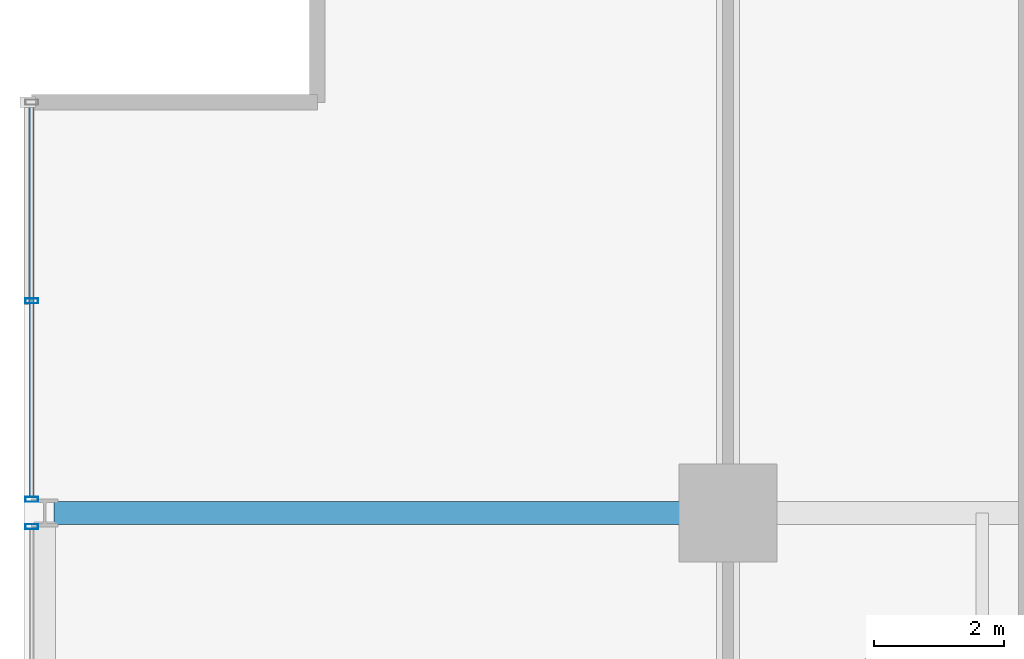
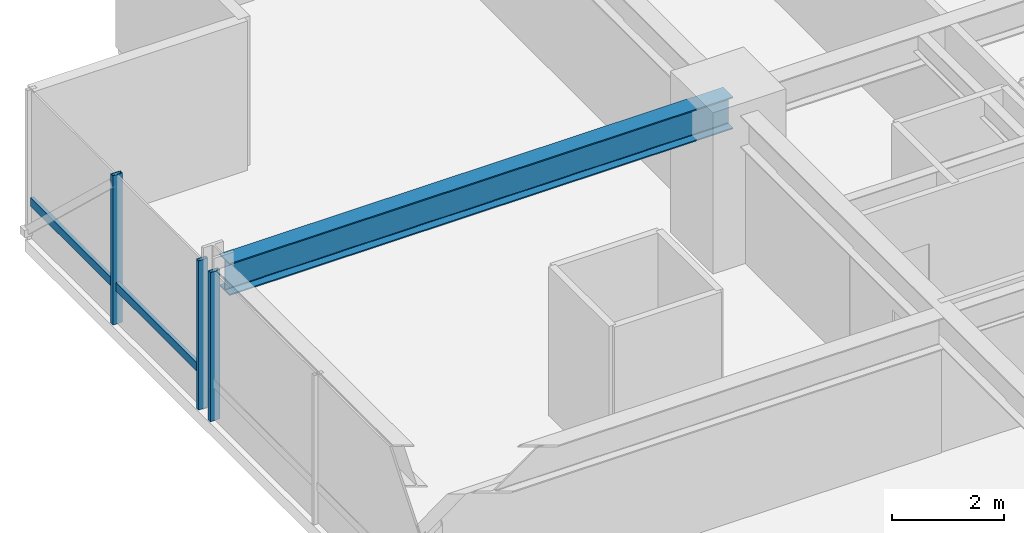
# One storey, part 18 of 34: 4 members, 1 beam, 2 elements without a shape of their own.
"""IFC4 building model written with IfcOpenShell, lengths in metres."""

from ifc_helpers import new_model, si_unit, direction, frame, origin, origin_2d, place, context, subcontext, project, spatial, hollow_rectangle, i_section, extrude, material, layer, layer_set, material_profile, profile_set, type_object, element, aggregate, save


model = new_model("IFC4")

# Units and contexts
model_context = context("Model", 3, precision=1e-05, world=origin(), true_north=direction((0.0, 1.0)))
body_context = subcontext(model_context, "Body", "Model", "MODEL_VIEW")
ifc_project = project(units=[si_unit("LENGTHUNIT", "METRE"), si_unit("AREAUNIT", "SQUARE_METRE"), si_unit("VOLUMEUNIT", "CUBIC_METRE"), si_unit("PLANEANGLEUNIT", "RADIAN"), si_unit("MASSUNIT", "GRAM", prefix="KILO")], contexts=[model_context])

# Site, building, storey
site_placement = place(None, origin())
site = spatial("IfcSite", under=ifc_project, at=site_placement, CompositionType="ELEMENT")
building_placement = place(site_placement, origin())
building = spatial("IfcBuilding", under=site, at=building_placement, Name="Drelvath Grand Hotel", CompositionType="ELEMENT")
storey_placement = place(building_placement, frame((0.0, 0.0, 133.800048828125)))
storey = spatial("IfcBuildingStorey", under=building, at=storey_placement, Name="L34", CompositionType="ELEMENT", Elevation=133.800048828125)

# Curtain wall, member
ifc_material_1 = material(Name="Champagne Bronze Anodised Aluminium Frame", Category="aluminium")
ifc_layer = layer(ifc_material_1, 0.199951171875)
ifc_layer_set = layer_set([ifc_layer], Name="Champagne Bronze Anodised Aluminium Frame")
curtain_wall_type = type_object("IfcCurtainWallType", Name="Stick Curtain Wall CW-03 Champagne Bronze Mid-Rise", PredefinedType="NOTDEFINED", material=ifc_layer_set)
curtain_wall_1_placement = place(storey_placement, origin())
curtain_wall_1 = element("IfcCurtainWall", 1, at=curtain_wall_1_placement, inside=storey, type_object=curtain_wall_type, Name="L34 CW-03 Curtain Wall CW03-L34-WN3", PredefinedType="NOTDEFINED")
ifc_material_profile_1 = material_profile(ifc_material_1, hollow_rectangle(XDim=0.074951171875, YDim=0.179931640625, WallThickness=0.0048828125, at=origin_2d()), Name="HSS180X75X5")
ifc_profile_set_1 = profile_set([ifc_material_profile_1], Name="Champagne Bronze Anodised Aluminium Frame")
member_type_1 = type_object("IfcMemberType", Name="Curtain Wall Horizontal Transom CW-03 HSS180X75X5", PredefinedType="USERDEFINED", material=ifc_profile_set_1)
member_1_placement = place(storey_placement, frame((-26.8798828125, 43.449462890625, 0.81005859375), z_axis=(0.0, 1.0, 0.0), x_axis=(-1.0, 0.0, 0.0)))
member_1 = element("IfcMember", 2, at=member_1_placement, type_object=member_type_1, Name="CW03-L34-WN3 Sill Transom", ObjectType="TRANSOM", PredefinedType="USERDEFINED", context=body_context, shape_type="SweptSolid", body=[
    extrude(hollow_rectangle(XDim=0.074951171875, YDim=0.179931640625, WallThickness=0.0048828125, at=origin_2d()), origin(), (0.0, 0.0, 1.0), 6.010498046875),
])

curtain_wall_2_placement = place(storey_placement, origin())
curtain_wall_2 = element("IfcCurtainWall", 3, at=curtain_wall_2_placement, inside=storey, type_object=curtain_wall_type, Name="L34 CW-03 Curtain Wall CW03-L34-WN2", PredefinedType="NOTDEFINED")
ifc_material_profile_2 = material_profile(ifc_material_1, hollow_rectangle(XDim=0.080078125, YDim=0.199951171875, WallThickness=0.0048828125, at=origin_2d()), Name="HSS200X80X5")
ifc_profile_set_2 = profile_set([ifc_material_profile_2], Name="Champagne Bronze Anodised Aluminium Frame")
member_type_2 = type_object("IfcMemberType", Name="Curtain Wall Vertical Mullion CW-03 HSS200X80X5", PredefinedType="MULLION", material=ifc_profile_set_2)
member_2_placement = place(storey_placement, frame((-26.8798828125, 42.990478515625, 0.0), z_axis=(0.0, 0.0, 1.0), x_axis=(0.0, 1.0, 0.0)))
member_2 = element("IfcMember", 4, at=member_2_placement, type_object=member_type_2, Name="CW03-L34-WN2 Mullion 3", PredefinedType="MULLION", context=body_context, shape_type="SweptSolid", body=[
    extrude(hollow_rectangle(XDim=0.080078125, YDim=0.199951171875, WallThickness=0.0048828125, at=origin_2d()), origin(), (0.0, 0.0, 1.0), 3.239990234375),
])
aggregate(curtain_wall_2, [member_2])

# Member
member_3_placement = place(storey_placement, frame((-26.8798828125, 43.409423828125, 0.0), z_axis=(0.0, 0.0, 1.0), x_axis=(0.0, 1.0, 0.0)))
member_3 = element("IfcMember", 5, at=member_3_placement, type_object=member_type_2, Name="CW03-L34-WN3 Mullion 1", PredefinedType="MULLION", context=body_context, shape_type="SweptSolid", body=[
    extrude(hollow_rectangle(XDim=0.080078125, YDim=0.199951171875, WallThickness=0.0048828125, at=origin_2d()), origin(), (0.0, 0.0, 1.0), 3.239990234375),
])

member_4_placement = place(storey_placement, frame((-26.8798828125, 46.45458984375, 0.0), z_axis=(0.0, 0.0, 1.0), x_axis=(0.0, 1.0, 0.0)))
member_4 = element("IfcMember", 6, at=member_4_placement, type_object=member_type_2, Name="CW03-L34-WN3 Mullion 2", PredefinedType="MULLION", context=body_context, shape_type="SweptSolid", body=[
    extrude(hollow_rectangle(XDim=0.080078125, YDim=0.199951171875, WallThickness=0.0048828125, at=origin_2d()), origin(), (0.0, 0.0, 1.0), 3.239990234375),
])

aggregate(curtain_wall_1, [member_3, member_4, member_1])

# Beam
ifc_material_2 = material(Name="Steel ASTM A992 Gr 50", Category="steel")
ifc_material_profile_3 = material_profile(ifc_material_2, i_section(OverallWidth=0.354736328125, OverallDepth=0.695556640625, WebThickness=0.015380859375, FlangeThickness=0.025146484375, FilletRadius=0.02392578125, at=origin_2d()), Name="W27X146")
ifc_profile_set_3 = profile_set([ifc_material_profile_3], Name="Steel ASTM A992 Gr 50")
beam_type = type_object("IfcBeamType", Name="Primary Floor Girder W27X146", PredefinedType="BEAM", material=ifc_profile_set_3)
beam_placement = place(storey_placement, frame((-26.5400390625, 43.199951171875, 2.892333984375), z_axis=(1.0, 0.0, 0.0), x_axis=(0.0, 1.0, 0.0)))
element("IfcBeam", 7, at=beam_placement, inside=storey, type_object=beam_type, Name="L34 West Grid Girder G", PredefinedType="BEAM", context=body_context, shape_type="SweptSolid", body=[
    extrude(i_section(OverallWidth=0.354736328125, OverallDepth=0.695556640625, WebThickness=0.015380859375, FlangeThickness=0.025146484375, FilletRadius=0.02392578125, at=origin_2d()), origin(), (0.0, 0.0, 1.0), 10.340087890625),
])

save(model, "model.ifc")
